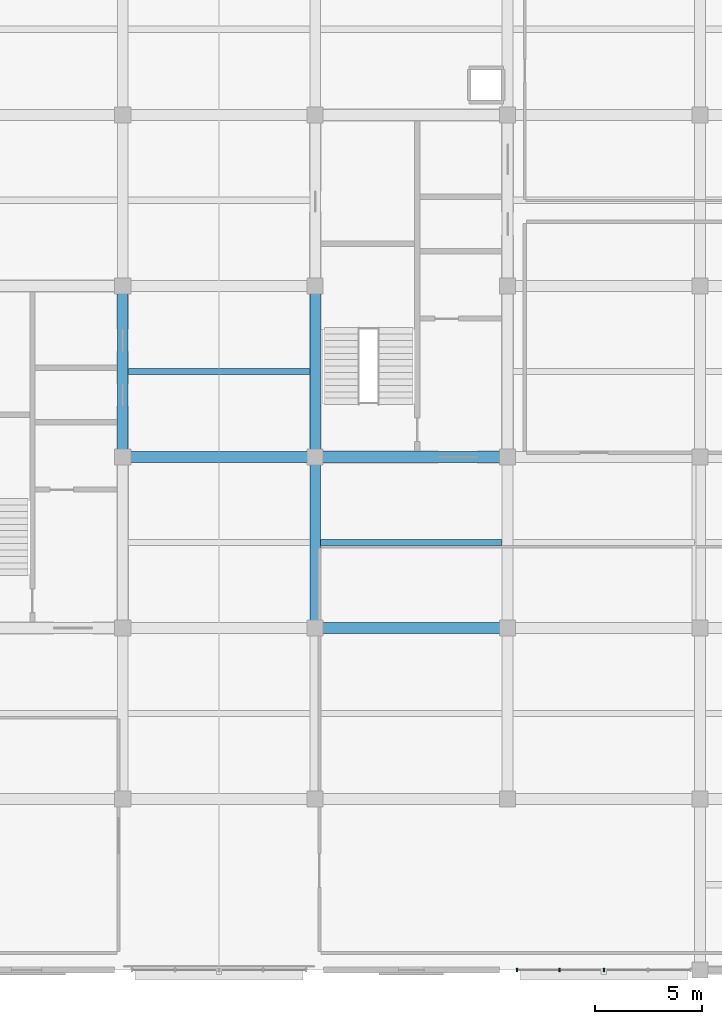
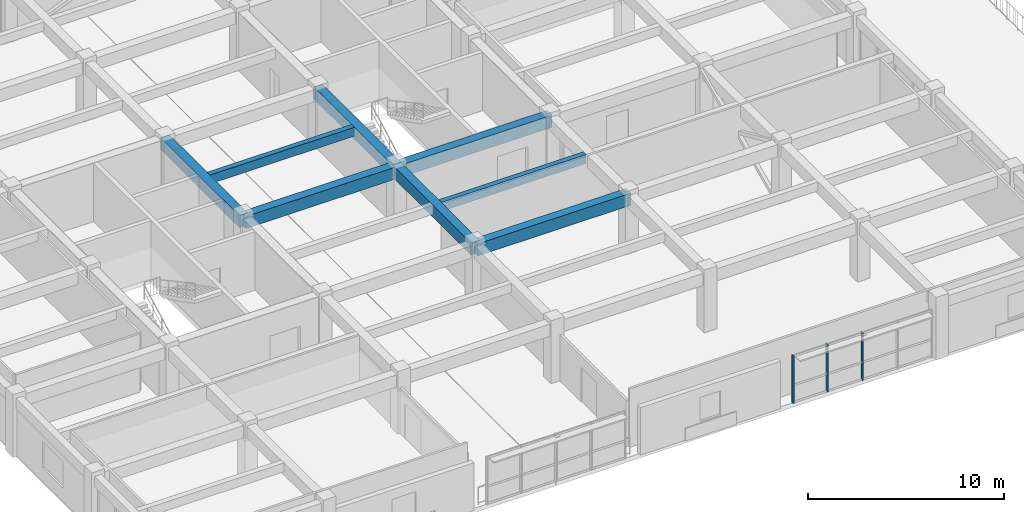
# One storey, part 5 of 15: 8 beams, 3 members, 1 element without a shape of its own.
"""IFC4 building model written with IfcOpenShell, lengths in metres."""

from ifc_helpers import new_model, si_unit, direction, frame, origin, origin_2d, place, context, subcontext, project, spatial, rectangle, extrude, material, material_profile, profile_set, type_object, element, aggregate, save


model = new_model("IFC4")

# Units and contexts
model_context = context("Model", 3, precision=1e-05, world=origin(), true_north=direction((0.0, 1.0)))
body_context = subcontext(model_context, "Body", "Model", "MODEL_VIEW")
ifc_project = project(units=[si_unit("LENGTHUNIT", "METRE"), si_unit("AREAUNIT", "SQUARE_METRE"), si_unit("VOLUMEUNIT", "CUBIC_METRE"), si_unit("PLANEANGLEUNIT", "RADIAN"), si_unit("MASSUNIT", "GRAM", prefix="KILO")], contexts=[model_context])

# Site, building, storey
site_placement = place(None, origin())
site = spatial("IfcSite", under=ifc_project, at=site_placement, CompositionType="ELEMENT")
building_placement = place(site_placement, origin())
building = spatial("IfcBuilding", under=site, at=building_placement, Name="Zaverband Oceanarium and Marine Research Institute", CompositionType="ELEMENT")
storey_placement = place(building_placement, frame((0.0, 0.0, 45.300048828125)))
storey = spatial("IfcBuildingStorey", under=building, at=storey_placement, Name="L11", CompositionType="ELEMENT", Elevation=45.300048828125)

# Beams
ifc_material_1 = material(Name="Concrete C40/50", Category="concrete")
ifc_material_profile_1 = material_profile(ifc_material_1, rectangle(XDim=0.5, YDim=0.75, at=origin_2d()), Name="RC500x750")
ifc_profile_set_1 = profile_set([ifc_material_profile_1], Name="Concrete C40/50")
beam_type_1 = type_object("IfcBeamType", Name="BM-500x750", PredefinedType="BEAM", material=ifc_profile_set_1)
for number, where, z_axis, x_axis, name in (
    (1, (36.0, 80.0, 3.244873046875), (1.0, 0.0, 0.0), (0.0, 1.0, 0.0), "Primary floor girder BM-500x750"),
    (2, (27.0, 88.0, 3.244873046875), (1.0, 0.0, 0.0), (0.0, 1.0, 0.0), "Primary floor girder BM-500x750"),
    (3, (36.0, 88.0, 3.244873046875), (1.0, 0.0, 0.0), (0.0, 1.0, 0.0), "Primary floor girder BM-500x750"),
):
    element("IfcBeam", number, at=place(storey_placement, frame(where, z_axis=z_axis, x_axis=x_axis)), inside=storey, type_object=beam_type_1, Name=name, PredefinedType="BEAM", context=body_context, shape_type="SweptSolid", body=[
        extrude(rectangle(XDim=0.5, YDim=0.75, at=origin_2d()), origin(), (0.0, 0.0, 1.0), 9.0),
    ])
for number, where, z_axis, x_axis, name in (
    (4, (27.0, 88.0, 3.244873046875), (0.0, 1.0, 0.0), (-1.0, 0.0, 0.0), "Primary floor girder BM-500x750"),
    (5, (36.0, 80.0, 3.244873046875), (0.0, 1.0, 0.0), (-1.0, 0.0, 0.0), "Primary floor girder BM-500x750"),
    (6, (36.0, 88.0, 3.244873046875), (0.0, 1.0, 0.0), (-1.0, 0.0, 0.0), "Primary floor girder BM-500x750"),
):
    element("IfcBeam", number, at=place(storey_placement, frame(where, z_axis=z_axis, x_axis=x_axis)), inside=storey, type_object=beam_type_1, Name=name, PredefinedType="BEAM", context=body_context, shape_type="SweptSolid", body=[
        extrude(rectangle(XDim=0.5, YDim=0.75, at=origin_2d()), origin(), (0.0, 0.0, 1.0), 8.0),
    ])
ifc_material_profile_2 = material_profile(ifc_material_1, rectangle(XDim=0.300048828125, YDim=0.550048828125, at=origin_2d()), Name="RC300x550")
ifc_profile_set_2 = profile_set([ifc_material_profile_2], Name="Concrete C40/50")
beam_type_2 = type_object("IfcBeamType", Name="JST-300x550", PredefinedType="JOIST", material=ifc_profile_set_2)
for number, where, z_axis, x_axis, name in (
    (7, (27.25, 92.0, 3.344970703125), (1.0, 0.0, 0.0), (0.0, 1.0, 0.0), "Secondary floor joist JST-300x550"),
    (8, (36.25, 84.0, 3.344970703125), (1.0, 0.0, 0.0), (0.0, 1.0, 0.0), "Secondary floor joist JST-300x550"),
):
    element("IfcBeam", number, at=place(storey_placement, frame(where, z_axis=z_axis, x_axis=x_axis)), inside=storey, type_object=beam_type_2, Name=name, PredefinedType="JOIST", context=body_context, shape_type="SweptSolid", body=[
        extrude(rectangle(XDim=0.300048828125, YDim=0.550048828125, at=origin_2d()), origin(), (0.0, 0.0, 1.0), 8.5),
    ])

# Curtain wall, members
ifc_material_2 = material(Name="Thermally broken anodized aluminium and solar-control glass", Category="aluminium")
curtain_wall_type = type_object("IfcCurtainWallType", Name="CW-UNIT-1800", PredefinedType="NOTDEFINED", material=ifc_material_2)
curtain_wall_placement = place(storey_placement, origin())
curtain_wall = element("IfcCurtainWall", 9, at=curtain_wall_placement, inside=storey, type_object=curtain_wall_type, Name="Unitised glazed curtain wall CW-123", PredefinedType="NOTDEFINED")
ifc_material_3 = material(Name="Thermally broken anodized aluminium", Category="aluminium")
ifc_material_profile_3 = material_profile(ifc_material_3, rectangle(XDim=0.070068359375, YDim=0.14990234375, at=origin_2d()), Name="AL-MUL-70x150")
ifc_profile_set_3 = profile_set([ifc_material_profile_3], Name="Thermally broken anodized aluminium")
member_type = type_object("IfcMemberType", Name="MUL-70x150", PredefinedType="MULLION", material=ifc_profile_set_3)
member_1_placement = place(storey_placement, frame((45.43994140625, 64.0, 0.0), z_axis=(0.0, 0.0, 1.0), x_axis=(1.0, 0.0, 0.0)))
member_1 = element("IfcMember", 10, at=member_1_placement, type_object=member_type, Name="Curtain wall vertical mullion MUL-70x150", PredefinedType="MULLION", context=body_context, shape_type="SweptSolid", body=[
    extrude(rectangle(XDim=0.070068359375, YDim=0.14990234375, at=origin_2d()), origin(), (0.0, 0.0, 1.0), 2.949951171875),
])
member_2_placement = place(storey_placement, frame((47.43994140625, 64.0, 0.0), z_axis=(0.0, 0.0, 1.0), x_axis=(1.0, 0.0, 0.0)))
member_2 = element("IfcMember", 11, at=member_2_placement, type_object=member_type, Name="Curtain wall vertical mullion MUL-70x150", PredefinedType="MULLION", context=body_context, shape_type="SweptSolid", body=[
    extrude(rectangle(XDim=0.070068359375, YDim=0.14990234375, at=origin_2d()), origin(), (0.0, 0.0, 1.0), 2.949951171875),
])
member_3_placement = place(storey_placement, frame((49.5, 64.0, 0.0), z_axis=(0.0, 0.0, 1.0), x_axis=(1.0, 0.0, 0.0)))
member_3 = element("IfcMember", 12, at=member_3_placement, type_object=member_type, Name="Curtain wall vertical mullion MUL-70x150", PredefinedType="MULLION", context=body_context, shape_type="SweptSolid", body=[
    extrude(rectangle(XDim=0.070068359375, YDim=0.14990234375, at=origin_2d()), origin(), (0.0, 0.0, 1.0), 2.949951171875),
])
aggregate(curtain_wall, [member_1, member_2, member_3])

save(model, "model.ifc")
